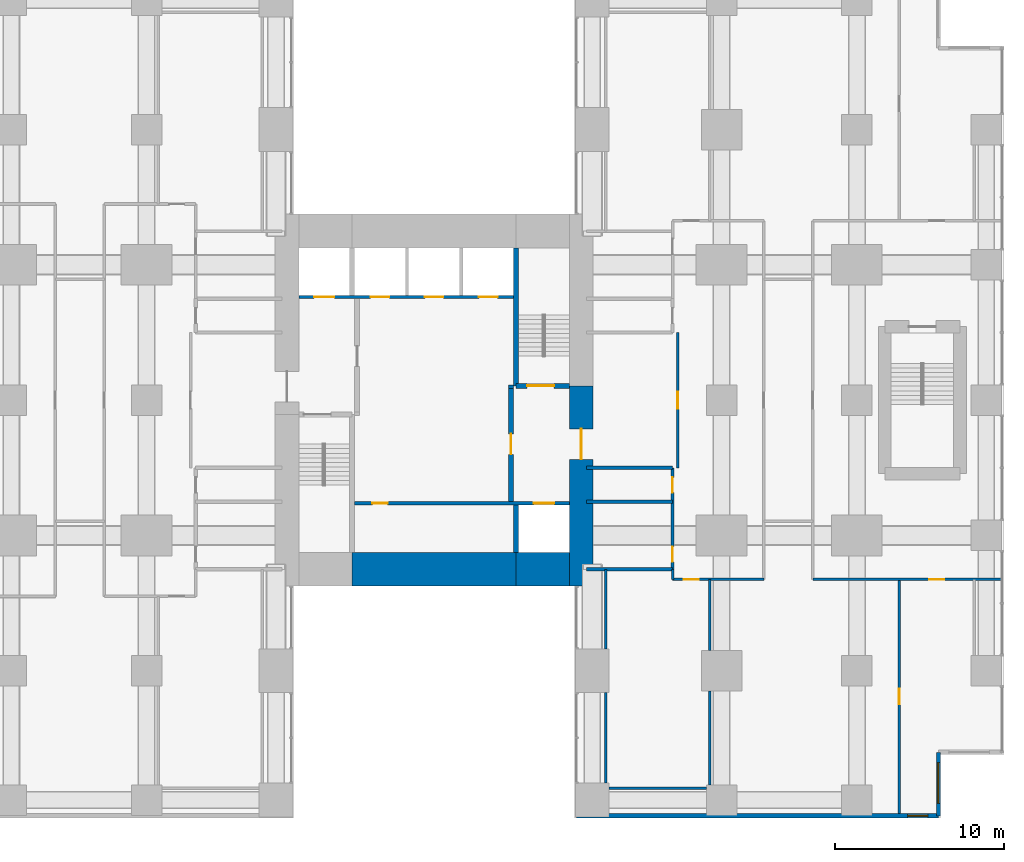
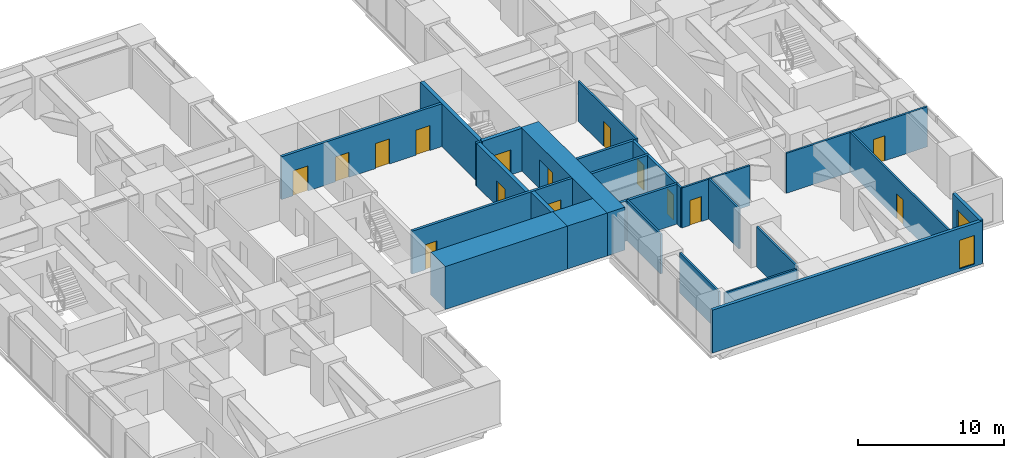
# One storey, part 11 of 14: 26 walls, 15 doors, 2 windows, 17 openings.
"""IFC4 building model written with IfcOpenShell, lengths in metres."""

from ifc_helpers import new_model, si_unit, direction, frame, frame_2d, origin, place, context, subcontext, project, spatial, rectangle, extrude, material, layer, layer_set, type_object, element, fill, save


model = new_model("IFC4")

# Units and contexts
model_context = context("Model", 3, precision=1e-05, world=origin(), true_north=direction((0.0, 1.0)))
body_context = subcontext(model_context, "Body", "Model", "MODEL_VIEW")
ifc_project = project(units=[si_unit("LENGTHUNIT", "METRE"), si_unit("AREAUNIT", "SQUARE_METRE"), si_unit("VOLUMEUNIT", "CUBIC_METRE"), si_unit("PLANEANGLEUNIT", "RADIAN"), si_unit("MASSUNIT", "GRAM", prefix="KILO")], contexts=[model_context])

# Site, building, storey
site_placement = place(None, origin())
site = spatial("IfcSite", under=ifc_project, at=site_placement, CompositionType="ELEMENT")
building_placement = place(site_placement, origin())
building = spatial("IfcBuilding", under=site, at=building_placement, Name="Cleftline Residences", CompositionType="ELEMENT")
storey_placement = place(building_placement, frame((0.0, 0.0, 200.199951171875)))
storey = spatial("IfcBuildingStorey", under=building, at=storey_placement, Name="L52", CompositionType="ELEMENT", Elevation=200.199951171875)

# Wall, opening, door
ifc_material_1 = material(Name="Concrete B70", Category="concrete")
ifc_layer_1 = layer(ifc_material_1, 1.39990234375)
ifc_layer_set_1 = layer_set([ifc_layer_1], Name="CORE WALL 1400")
wall_type_1 = type_object("IfcWallType", Name="CORE WALL 1400", PredefinedType="SHEAR", material=ifc_layer_set_1)
wall_1_placement = place(storey_placement, frame((41.699951171875, 13.0, 0.0), z_axis=(0.0, 0.0, 1.0), x_axis=(0.0, 1.0, 0.0)))
wall_1 = element("IfcWall", 1, at=wall_1_placement, inside=storey, type_object=wall_type_1, Name="Core wall E", PredefinedType="SHEAR", context=body_context, shape_type="SweptSolid", body=[
    extrude(rectangle(XDim=11.85009765625, YDim=1.39990234375, at=frame_2d((5.925048828125, 0.0))), origin(), (0.0, 0.0, 1.0), 3.60009765625),
])
opening_1_placement = place(wall_1_placement, frame((7.5, 0.0, 0.0)))
opening_1 = element("IfcOpeningElement", 2, at=opening_1_placement, cuts=wall_1, Name="Opening D7", PredefinedType="OPENING", context=body_context, shape_type="SweptSolid", body=[
    extrude(rectangle(XDim=1.800048828125, YDim=2.39990234375, at=frame_2d((0.89990234375, 1.199951171875))), frame((0.0, 0.7099609375, 0.0), z_axis=(0.0, -1.0, 0.0), x_axis=(1.0, 0.0, 0.0)), (0.0, 0.0, 1.0), 1.419921875),
])
ifc_material_2 = material(Name="Steel", Category="steel")
door_type_1 = type_object("IfcDoorType", Name="WING DOOR 1800X2400", OperationType="DOUBLE_DOOR_DOUBLE_SWING", PredefinedType="DOOR", material=ifc_material_2)
door_1_placement = place(opening_1_placement, origin())
door_1 = element("IfcDoor", 3, at=door_1_placement, inside=storey, type_object=door_type_1, Name="East wing door", OperationType="DOUBLE_DOOR_DOUBLE_SWING", OverallHeight=2.39990234375, OverallWidth=1.800048828125, PredefinedType="DOOR", context=body_context, shape_type="SweptSolid", body=[
    extrude(rectangle(XDim=1.800048828125, YDim=2.39990234375, at=frame_2d((0.89990234375, 1.199951171875))), frame((0.0, 0.02490234375, 0.0), z_axis=(0.0, -1.0, 0.0), x_axis=(1.0, 0.0, 0.0)), (0.0, 0.0, 1.0), 0.050048828125),
])
fill(opening_1, door_1)

# Walls
ifc_material_3 = material(Name="Concrete B70", Category="concrete")
ifc_layer_2 = layer(ifc_material_3, 2.0)
ifc_layer_set_2 = layer_set([ifc_layer_2], Name="CORE WALL 2000")
wall_type_2 = type_object("IfcWallType", Name="CORE WALL 2000", PredefinedType="SHEAR", material=ifc_layer_set_2)
wall_2_placement = place(storey_placement, frame((28.14990234375, 14.0, 0.0), z_axis=(0.0, 0.0, 1.0), x_axis=(1.0, 0.0, 0.0)))
element("IfcWall", 4, at=wall_2_placement, inside=storey, type_object=wall_type_2, Name="Core wall S2", PredefinedType="SHEAR", context=body_context, shape_type="SweptSolid", body=[
    extrude(rectangle(XDim=9.7001953125, YDim=2.0, at=frame_2d((4.85009765625, 0.0))), origin(), (0.0, 0.0, 1.0), 3.60009765625),
])
wall_3_placement = place(storey_placement, frame((37.85009765625, 14.0, 0.0), z_axis=(0.0, 0.0, 1.0), x_axis=(1.0, 0.0, 0.0)))
element("IfcWall", 5, at=wall_3_placement, inside=storey, type_object=wall_type_2, Name="Core wall S3", PredefinedType="SHEAR", context=body_context, shape_type="SweptSolid", body=[
    extrude(rectangle(XDim=3.14990234375, YDim=2.0, at=frame_2d((1.574951171875, 0.0))), origin(), (0.0, 0.0, 1.0), 3.60009765625),
])
ifc_material_4 = material(Name="Concrete B70", Category="concrete")
ifc_layer_3 = layer(ifc_material_4, 0.300048828125)
ifc_layer_set_3 = layer_set([ifc_layer_3], Name="CORE WALL 300")
wall_type_3 = type_object("IfcWallType", Name="CORE WALL 300", PredefinedType="SHEAR", material=ifc_layer_set_3)
wall_4_placement = place(storey_placement, frame((37.85009765625, 24.85009765625, 0.0), z_axis=(0.0, 0.0, 1.0), x_axis=(0.0, 1.0, 0.0)))
element("IfcWall", 6, at=wall_4_placement, inside=storey, type_object=wall_type_3, Name="Core wall SB-W", PredefinedType="SHEAR", context=body_context, shape_type="SweptSolid", body=[
    extrude(rectangle(XDim=8.14990234375, YDim=0.300048828125, at=frame_2d((4.074951171875, 0.0))), origin(), (0.0, 0.0, 1.0), 3.60009765625),
])

# Wall, opening, door
wall_5_placement = place(storey_placement, frame((37.85009765625, 24.85009765625, 0.0), z_axis=(0.0, 0.0, 1.0), x_axis=(1.0, 0.0, 0.0)))
wall_5 = element("IfcWall", 7, at=wall_5_placement, inside=storey, type_object=wall_type_3, Name="Core wall SB-S", PredefinedType="SHEAR", context=body_context, shape_type="SweptSolid", body=[
    extrude(rectangle(XDim=3.14990234375, YDim=0.300048828125, at=frame_2d((1.574951171875, 0.0))), origin(), (0.0, 0.0, 1.0), 3.60009765625),
])
opening_2_placement = place(wall_5_placement, frame((0.64990234375, 0.0, 0.0)))
opening_2 = element("IfcOpeningElement", 8, at=opening_2_placement, cuts=wall_5, Name="Opening D9", PredefinedType="OPENING", context=body_context, shape_type="SweptSolid", body=[
    extrude(rectangle(XDim=1.60009765625, YDim=2.10009765625, at=frame_2d((0.800048828125, 1.050048828125))), frame((0.0, 0.159912109375, 0.0), z_axis=(0.0, -1.0, 0.0), x_axis=(1.0, 0.0, 0.0)), (0.0, 0.0, 1.0), 0.320068359375),
])
ifc_material_5 = material(Name="Steel", Category="steel")
door_type_2 = type_object("IfcDoorType", Name="STAIR DOOR 1600X2100", OperationType="DOUBLE_DOOR_SINGLE_SWING", PredefinedType="DOOR", material=ifc_material_5)
door_2_placement = place(opening_2_placement, origin())
door_2 = element("IfcDoor", 9, at=door_2_placement, inside=storey, type_object=door_type_2, Name="Stair B door", OperationType="DOUBLE_DOOR_SINGLE_SWING", OverallHeight=2.10009765625, OverallWidth=1.60009765625, PredefinedType="DOOR", context=body_context, shape_type="SweptSolid", body=[
    extrude(rectangle(XDim=1.60009765625, YDim=2.10009765625, at=frame_2d((0.800048828125, 1.050048828125))), frame((0.0, 0.02490234375, 0.0), z_axis=(0.0, -1.0, 0.0), x_axis=(1.0, 0.0, 0.0)), (0.0, 0.0, 1.0), 0.050048828125),
])
fill(opening_2, door_2)

# Wall
wall_6_placement = place(storey_placement, frame((37.85009765625, 15.0, 0.0), z_axis=(0.0, 0.0, 1.0), x_axis=(0.0, 1.0, 0.0)))
element("IfcWall", 10, at=wall_6_placement, inside=storey, type_object=wall_type_3, Name="Lift shaft wall", PredefinedType="SHEAR", context=body_context, shape_type="SweptSolid", body=[
    extrude(rectangle(XDim=2.800048828125, YDim=0.300048828125, at=frame_2d((1.39990234375, 0.0))), origin(), (0.0, 0.0, 1.0), 3.60009765625),
])

# Wall, opening, window
ifc_material_6 = material(Name="Rendered reinforced concrete blockwork", Category="masonry")
ifc_layer_4 = layer(ifc_material_6, 0.25)
ifc_layer_set_4 = layer_set([ifc_layer_4], Name="EXTERNAL WALL 250")
wall_type_4 = type_object("IfcWallType", Name="EXTERNAL WALL 250", PredefinedType="SOLIDWALL", material=ifc_layer_set_4)
wall_7_placement = place(storey_placement, frame((41.425048828125, -0.574951171875, 0.0), z_axis=(0.0, 0.0, 1.0), x_axis=(1.0, 0.0, 0.0)))
wall_7 = element("IfcWall", 11, at=wall_7_placement, inside=storey, type_object=wall_type_4, Name="External wall", PredefinedType="SOLIDWALL", context=body_context, shape_type="SweptSolid", body=[
    extrude(rectangle(XDim=21.39990234375, YDim=0.25, at=frame_2d((10.699951171875, 0.0))), origin(), (0.0, 0.0, 1.0), 3.60009765625),
])
opening_3_placement = place(wall_7_placement, frame((19.574951171875, 0.0, 0.199951171875)))
opening_3 = element("IfcOpeningElement", 12, at=opening_3_placement, cuts=wall_7, Name="Opening W13", PredefinedType="OPENING", context=body_context, shape_type="SweptSolid", body=[
    extrude(rectangle(XDim=1.199951171875, YDim=2.39990234375, at=frame_2d((0.60009765625, 1.199951171875))), frame((0.0, 0.135009765625, 0.0), z_axis=(0.0, -1.0, 0.0), x_axis=(1.0, 0.0, 0.0)), (0.0, 0.0, 1.0), 0.27001953125),
])
ifc_material_7 = material(Name="Aluminium frame, clear double glazing", Category="aluminium")
window_type_1 = type_object("IfcWindowType", Name="WINDOW 1200X2400", PartitioningType="DOUBLE_PANEL_VERTICAL", PredefinedType="WINDOW", material=ifc_material_7)
window_1_placement = place(opening_3_placement, origin())
window_1 = element("IfcWindow", 13, at=window_1_placement, inside=storey, type_object=window_type_1, Name="Window", OverallHeight=2.39990234375, OverallWidth=1.199951171875, PartitioningType="SINGLE_PANEL", PredefinedType="WINDOW", context=body_context, shape_type="SweptSolid", body=[
    extrude(rectangle(XDim=1.199951171875, YDim=2.39990234375, at=frame_2d((0.60009765625, 1.199951171875))), frame((0.0, 0.030029296875, 0.0), z_axis=(0.0, -1.0, 0.0), x_axis=(1.0, 0.0, 0.0)), (0.0, 0.0, 1.0), 0.06005859375),
])
fill(opening_3, window_1)

wall_8_placement = place(storey_placement, frame((62.824951171875, -0.574951171875, 0.0), z_axis=(0.0, 0.0, 1.0), x_axis=(0.0, 1.0, 0.0)))
wall_8 = element("IfcWall", 14, at=wall_8_placement, inside=storey, type_object=wall_type_4, Name="External wall", PredefinedType="SOLIDWALL", context=body_context, shape_type="SweptSolid", body=[
    extrude(rectangle(XDim=3.75, YDim=0.25, at=frame_2d((1.875, 0.0))), origin(), (0.0, 0.0, 1.0), 3.60009765625),
])
opening_4_placement = place(wall_8_placement, frame((0.737548828125, 0.0, 0.199951171875)))
opening_4 = element("IfcOpeningElement", 15, at=opening_4_placement, cuts=wall_8, Name="Opening W9", PredefinedType="OPENING", context=body_context, shape_type="SweptSolid", body=[
    extrude(rectangle(XDim=2.39990234375, YDim=2.39990234375, at=frame_2d((1.199951171875, 1.199951171875))), frame((0.0, 0.135009765625, 0.0), z_axis=(0.0, -1.0, 0.0), x_axis=(1.0, 0.0, 0.0)), (0.0, 0.0, 1.0), 0.27001953125),
])
ifc_material_8 = material(Name="Aluminium frame, clear double glazing", Category="aluminium")
window_type_2 = type_object("IfcWindowType", Name="WINDOW 2400X2400", PartitioningType="DOUBLE_PANEL_VERTICAL", PredefinedType="WINDOW", material=ifc_material_8)
window_2_placement = place(opening_4_placement, origin())
window_2 = element("IfcWindow", 16, at=window_2_placement, inside=storey, type_object=window_type_2, Name="Window", OverallHeight=2.39990234375, OverallWidth=2.39990234375, PartitioningType="SINGLE_PANEL", PredefinedType="WINDOW", context=body_context, shape_type="SweptSolid", body=[
    extrude(rectangle(XDim=2.39990234375, YDim=2.39990234375, at=frame_2d((1.199951171875, 1.199951171875))), frame((0.0, 0.030029296875, 0.0), z_axis=(0.0, -1.0, 0.0), x_axis=(1.0, 0.0, 0.0)), (0.0, 0.0, 1.0), 0.06005859375),
])
fill(opening_4, window_2)

# Walls
ifc_material_9 = material(Name="Concrete blockwork, fire rated", Category="masonry")
ifc_layer_5 = layer(ifc_material_9, 0.199951171875)
ifc_layer_set_5 = layer_set([ifc_layer_5], Name="FIRE WALL 200")
wall_type_5 = type_object("IfcWallType", Name="FIRE WALL 200", PredefinedType="PARTITIONING", material=ifc_layer_set_5)
for number, where, z_axis, x_axis, name in (
    (17, (42.0, 14.0, 0.0), (0.0, 0.0, 1.0), (1.0, 0.0, 0.0), "Fire separating wall"),
    (18, (42.0, 18.0, 0.0), (0.0, 0.0, 1.0), (1.0, 0.0, 0.0), "Fire separating wall"),
    (19, (42.0, 20.0, 0.0), (0.0, 0.0, 1.0), (1.0, 0.0, 0.0), "Fire separating wall"),
):
    element("IfcWall", number, at=place(storey_placement, frame(where, z_axis=z_axis, x_axis=x_axis)), inside=storey, type_object=wall_type_5, Name=name, PredefinedType="PARTITIONING", context=body_context, shape_type="SweptSolid", body=[
        extrude(rectangle(XDim=5.10009765625, YDim=0.199951171875, at=frame_2d((2.550048828125, 0.0))), origin(), (0.0, 0.0, 1.0), 3.35009765625),
    ])

# Wall, openings, doors
wall_9_placement = place(storey_placement, frame((47.10009765625, 14.0, 0.0), z_axis=(0.0, 0.0, 1.0), x_axis=(0.0, 1.0, 0.0)))
wall_9 = element("IfcWall", 20, at=wall_9_placement, inside=storey, type_object=wall_type_5, Name="Fire separating wall", PredefinedType="PARTITIONING", context=body_context, shape_type="SweptSolid", body=[
    extrude(rectangle(XDim=6.0, YDim=0.199951171875, at=frame_2d((3.0, 0.0))), origin(), (0.0, 0.0, 1.0), 3.35009765625),
])
opening_5_placement = place(wall_9_placement, frame((0.43994140625, 0.0, 0.0)))
opening_5 = element("IfcOpeningElement", 21, at=opening_5_placement, cuts=wall_9, Name="Opening D1F30", PredefinedType="OPENING", context=body_context, shape_type="SweptSolid", body=[
    extrude(rectangle(XDim=0.89990234375, YDim=2.10009765625, at=frame_2d((0.449951171875, 1.050048828125))), frame((0.0, 0.10986328125, 0.0), z_axis=(0.0, -1.0, 0.0), x_axis=(1.0, 0.0, 0.0)), (0.0, 0.0, 1.0), 0.219970703125),
])
opening_6_placement = place(wall_9_placement, frame((4.5400390625, 0.0, 0.0)))
opening_6 = element("IfcOpeningElement", 22, at=opening_6_placement, cuts=wall_9, Name="Opening D1F30", PredefinedType="OPENING", context=body_context, shape_type="SweptSolid", body=[
    extrude(rectangle(XDim=0.89990234375, YDim=2.10009765625, at=frame_2d((0.449951171875, 1.050048828125))), frame((0.0, 0.10986328125, 0.0), z_axis=(0.0, -1.0, 0.0), x_axis=(1.0, 0.0, 0.0)), (0.0, 0.0, 1.0), 0.219970703125),
])
ifc_material_10 = material(Name="Timber veneer on solid core", Category="wood")
door_type_3 = type_object("IfcDoorType", Name="DOOR 900X2100 EI 30", OperationType="SINGLE_SWING_LEFT", PredefinedType="DOOR", material=ifc_material_10)
door_3_placement = place(opening_5_placement, origin())
door_3 = element("IfcDoor", 23, at=door_3_placement, inside=storey, type_object=door_type_3, Name="Door to male wc", OperationType="SINGLE_SWING_RIGHT", OverallHeight=2.10009765625, OverallWidth=0.89990234375, PredefinedType="DOOR", context=body_context, shape_type="SweptSolid", body=[
    extrude(rectangle(XDim=0.89990234375, YDim=2.10009765625, at=frame_2d((0.449951171875, 1.050048828125))), frame((0.0, 0.02490234375, 0.0), z_axis=(0.0, -1.0, 0.0), x_axis=(1.0, 0.0, 0.0)), (0.0, 0.0, 1.0), 0.050048828125),
])
fill(opening_5, door_3)
door_4_placement = place(opening_6_placement, origin())
door_4 = element("IfcDoor", 24, at=door_4_placement, inside=storey, type_object=door_type_3, Name="Door to female wc", OperationType="SINGLE_SWING_LEFT", OverallHeight=2.10009765625, OverallWidth=0.89990234375, PredefinedType="DOOR", context=body_context, shape_type="SweptSolid", body=[
    extrude(rectangle(XDim=0.89990234375, YDim=2.10009765625, at=frame_2d((0.449951171875, 1.050048828125))), frame((0.0, 0.02490234375, 0.0), z_axis=(0.0, -1.0, 0.0), x_axis=(1.0, 0.0, 0.0)), (0.0, 0.0, 1.0), 0.050048828125),
])
fill(opening_6, door_4)

# Walls
wall_10_placement = place(storey_placement, frame((37.39990234375, 24.800048828125, 0.0), z_axis=(0.0, 0.0, 1.0), x_axis=(1.0, 0.0, 0.0)))
element("IfcWall", 25, at=wall_10_placement, inside=storey, type_object=wall_type_5, Name="Fire separating wall", PredefinedType="PARTITIONING", context=body_context, shape_type="SweptSolid", body=[
    extrude(rectangle(XDim=0.300048828125, YDim=0.199951171875, at=frame_2d((0.14990234375, 0.0))), origin(), (0.0, 0.0, 1.0), 3.60009765625),
])
ifc_material_11 = material(Name="Gypsum board on steel studs", Category="steel")
ifc_layer_6 = layer(ifc_material_11, 0.14990234375)
ifc_layer_set_6 = layer_set([ifc_layer_6], Name="PARTITION 150")
wall_type_6 = type_object("IfcWallType", Name="PARTITION 150", PredefinedType="PARTITIONING", material=ifc_layer_set_6)
wall_11_placement = place(storey_placement, frame((43.35009765625, 1.050048828125, 0.0), z_axis=(0.0, 0.0, 1.0), x_axis=(1.0, 0.0, 0.0)))
element("IfcWall", 26, at=wall_11_placement, inside=storey, type_object=wall_type_6, Name="Partition", PredefinedType="PARTITIONING", context=body_context, shape_type="SweptSolid", body=[
    extrude(rectangle(XDim=5.75, YDim=0.14990234375, at=frame_2d((2.875, 0.0))), origin(), (0.0, 0.0, 1.0), 3.35009765625),
])

# Wall, opening, door
wall_12_placement = place(storey_placement, frame((47.10009765625, 13.39990234375, 0.0), z_axis=(0.0, 0.0, 1.0), x_axis=(1.0, 0.0, 0.0)))
wall_12 = element("IfcWall", 27, at=wall_12_placement, inside=storey, type_object=wall_type_6, Name="Partition", PredefinedType="PARTITIONING", context=body_context, shape_type="SweptSolid", body=[
    extrude(rectangle(XDim=5.39990234375, YDim=0.14990234375, at=frame_2d((2.699951171875, 0.0))), origin(), (0.0, 0.0, 1.0), 3.35009765625),
])
opening_7_placement = place(wall_12_placement, frame((0.659912109375, 0.0, 0.0)))
opening_7 = element("IfcOpeningElement", 28, at=opening_7_placement, cuts=wall_12, Name="Opening D1", PredefinedType="OPENING", context=body_context, shape_type="SweptSolid", body=[
    extrude(rectangle(XDim=0.89990234375, YDim=2.10009765625, at=frame_2d((0.449951171875, 1.050048828125))), frame((0.0, 0.0849609375, 0.0), z_axis=(0.0, -1.0, 0.0), x_axis=(1.0, 0.0, 0.0)), (0.0, 0.0, 1.0), 0.169921875),
])
ifc_material_12 = material(Name="Timber veneer on solid core", Category="wood")
door_type_4 = type_object("IfcDoorType", Name="DOOR 900X2100", OperationType="SINGLE_SWING_LEFT", PredefinedType="DOOR", material=ifc_material_12)
door_5_placement = place(opening_7_placement, origin())
door_5 = element("IfcDoor", 29, at=door_5_placement, inside=storey, type_object=door_type_4, Name="Door to recording studio", OperationType="SINGLE_SWING_RIGHT", OverallHeight=2.10009765625, OverallWidth=0.89990234375, PredefinedType="DOOR", context=body_context, shape_type="SweptSolid", body=[
    extrude(rectangle(XDim=0.89990234375, YDim=2.10009765625, at=frame_2d((0.449951171875, 1.050048828125))), frame((0.0, 0.02490234375, 0.0), z_axis=(0.0, -1.0, 0.0), x_axis=(1.0, 0.0, 0.0)), (0.0, 0.0, 1.0), 0.050048828125),
])
fill(opening_7, door_5)

wall_13_placement = place(storey_placement, frame((55.39990234375, 13.39990234375, 0.0), z_axis=(0.0, 0.0, 1.0), x_axis=(1.0, 0.0, 0.0)))
wall_13 = element("IfcWall", 30, at=wall_13_placement, inside=storey, type_object=wall_type_6, Name="Partition", PredefinedType="PARTITIONING", context=body_context, shape_type="SweptSolid", body=[
    extrude(rectangle(XDim=11.1611328125, YDim=0.14990234375, at=frame_2d((5.58056640625, 0.0))), origin(), (0.0, 0.0, 1.0), 3.35009765625),
])
opening_8_placement = place(wall_13_placement, frame((6.8798828125, 0.0, 0.0)))
opening_8 = element("IfcOpeningElement", 31, at=opening_8_placement, cuts=wall_13, Name="Opening D1", PredefinedType="OPENING", context=body_context, shape_type="SweptSolid", body=[
    extrude(rectangle(XDim=0.89990234375, YDim=2.10009765625, at=frame_2d((0.449951171875, 1.050048828125))), frame((0.0, 0.0849609375, 0.0), z_axis=(0.0, -1.0, 0.0), x_axis=(1.0, 0.0, 0.0)), (0.0, 0.0, 1.0), 0.169921875),
])
door_6_placement = place(opening_8_placement, origin())
door_6 = element("IfcDoor", 32, at=door_6_placement, inside=storey, type_object=door_type_4, Name="Door to music practice room", OperationType="SINGLE_SWING_LEFT", OverallHeight=2.10009765625, OverallWidth=0.89990234375, PredefinedType="DOOR", context=body_context, shape_type="SweptSolid", body=[
    extrude(rectangle(XDim=0.89990234375, YDim=2.10009765625, at=frame_2d((0.449951171875, 1.050048828125))), frame((0.0, 0.02490234375, 0.0), z_axis=(0.0, -1.0, 0.0), x_axis=(1.0, 0.0, 0.0)), (0.0, 0.0, 1.0), 0.050048828125),
])
fill(opening_8, door_6)

# Walls
wall_14_placement = place(storey_placement, frame((43.14990234375, 1.35009765625, 0.0), z_axis=(0.0, 0.0, 1.0), x_axis=(0.0, 1.0, 0.0)))
element("IfcWall", 33, at=wall_14_placement, inside=storey, type_object=wall_type_6, Name="Partition", PredefinedType="PARTITIONING", context=body_context, shape_type="SweptSolid", body=[
    extrude(rectangle(XDim=5.349853515625, YDim=0.14990234375, at=frame_2d((2.6748046875, 0.0))), origin(), (0.0, 0.0, 1.0), 3.35009765625),
])
wall_15_placement = place(storey_placement, frame((43.14990234375, 9.300048828125, 0.0), z_axis=(0.0, 0.0, 1.0), x_axis=(0.0, 1.0, 0.0)))
element("IfcWall", 34, at=wall_15_placement, inside=storey, type_object=wall_type_6, Name="Partition", PredefinedType="PARTITIONING", context=body_context, shape_type="SweptSolid", body=[
    extrude(rectangle(XDim=4.699951171875, YDim=0.14990234375, at=frame_2d((2.35009765625, 0.0))), origin(), (0.0, 0.0, 1.0), 3.35009765625),
])
wall_16_placement = place(storey_placement, frame((47.10009765625, 13.39990234375, 0.0), z_axis=(0.0, 0.0, 1.0), x_axis=(0.0, 1.0, 0.0)))
element("IfcWall", 35, at=wall_16_placement, inside=storey, type_object=wall_type_6, Name="Partition", PredefinedType="PARTITIONING", context=body_context, shape_type="SweptSolid", body=[
    extrude(rectangle(XDim=0.60009765625, YDim=0.14990234375, at=frame_2d((0.300048828125, 0.0))), origin(), (0.0, 0.0, 1.0), 3.35009765625),
])

# Wall, opening, door
wall_17_placement = place(storey_placement, frame((47.39990234375, 20.0, 0.0), z_axis=(0.0, 0.0, 1.0), x_axis=(0.0, 1.0, 0.0)))
wall_17 = element("IfcWall", 36, at=wall_17_placement, inside=storey, type_object=wall_type_6, Name="Partition", PredefinedType="PARTITIONING", context=body_context, shape_type="SweptSolid", body=[
    extrude(rectangle(XDim=8.0, YDim=0.14990234375, at=frame_2d((4.0, 0.0))), origin(), (0.0, 0.0, 1.0), 3.35009765625),
])
opening_9_placement = place(wall_17_placement, frame((3.5, 0.0, 0.0)))
opening_9 = element("IfcOpeningElement", 37, at=opening_9_placement, cuts=wall_17, Name="Opening D2F30", PredefinedType="OPENING", context=body_context, shape_type="SweptSolid", body=[
    extrude(rectangle(XDim=1.0, YDim=2.10009765625, at=frame_2d((0.5, 1.050048828125))), frame((0.0, 0.0849609375, 0.0), z_axis=(0.0, -1.0, 0.0), x_axis=(1.0, 0.0, 0.0)), (0.0, 0.0, 1.0), 0.169921875),
])
ifc_material_13 = material(Name="Timber veneer on solid core", Category="wood")
door_type_5 = type_object("IfcDoorType", Name="DOOR 1000X2100 EI 30", OperationType="SINGLE_SWING_LEFT", PredefinedType="DOOR", material=ifc_material_13)
door_7_placement = place(opening_9_placement, origin())
door_7 = element("IfcDoor", 38, at=door_7_placement, inside=storey, type_object=door_type_5, Name="Door to corridor", OperationType="SINGLE_SWING_LEFT", OverallHeight=2.10009765625, OverallWidth=1.0, PredefinedType="DOOR", context=body_context, shape_type="SweptSolid", body=[
    extrude(rectangle(XDim=1.0, YDim=2.10009765625, at=frame_2d((0.5, 1.050048828125))), frame((0.0, 0.02490234375, 0.0), z_axis=(0.0, -1.0, 0.0), x_axis=(1.0, 0.0, 0.0)), (0.0, 0.0, 1.0), 0.050048828125),
])
fill(opening_9, door_7)

# Walls
wall_18_placement = place(storey_placement, frame((49.300048828125, 1.25, 0.0), z_axis=(0.0, 0.0, 1.0), x_axis=(0.0, 1.0, 0.0)))
element("IfcWall", 39, at=wall_18_placement, inside=storey, type_object=wall_type_6, Name="Partition", PredefinedType="PARTITIONING", context=body_context, shape_type="SweptSolid", body=[
    extrude(rectangle(XDim=5.550048828125, YDim=0.14990234375, at=frame_2d((2.77490234375, 0.0))), origin(), (0.0, 0.0, 1.0), 3.35009765625),
])
wall_19_placement = place(storey_placement, frame((49.300048828125, 9.199951171875, 0.0), z_axis=(0.0, 0.0, 1.0), x_axis=(0.0, 1.0, 0.0)))
element("IfcWall", 40, at=wall_19_placement, inside=storey, type_object=wall_type_6, Name="Partition", PredefinedType="PARTITIONING", context=body_context, shape_type="SweptSolid", body=[
    extrude(rectangle(XDim=4.199951171875, YDim=0.14990234375, at=frame_2d((2.10009765625, 0.0))), origin(), (0.0, 0.0, 1.0), 3.35009765625),
])

# Wall, opening, door
wall_20_placement = place(storey_placement, frame((60.5, -0.449951171875, 0.0), z_axis=(0.0, 0.0, 1.0), x_axis=(0.0, 1.0, 0.0)))
wall_20 = element("IfcWall", 41, at=wall_20_placement, inside=storey, type_object=wall_type_6, Name="Partition", PredefinedType="PARTITIONING", context=body_context, shape_type="SweptSolid", body=[
    extrude(rectangle(XDim=13.849853515625, YDim=0.14990234375, at=frame_2d((6.9248046875, 0.0))), origin(), (0.0, 0.0, 1.0), 3.35009765625),
])
opening_10_placement = place(wall_20_placement, frame((6.47998046875, 0.0, 0.0)))
opening_10 = element("IfcOpeningElement", 42, at=opening_10_placement, cuts=wall_20, Name="Opening D1", PredefinedType="OPENING", context=body_context, shape_type="SweptSolid", body=[
    extrude(rectangle(XDim=0.89990234375, YDim=2.10009765625, at=frame_2d((0.449951171875, 1.050048828125))), frame((0.0, 0.0849609375, 0.0), z_axis=(0.0, -1.0, 0.0), x_axis=(1.0, 0.0, 0.0)), (0.0, 0.0, 1.0), 0.169921875),
])
door_8_placement = place(opening_10_placement, origin())
door_8 = element("IfcDoor", 43, at=door_8_placement, inside=storey, type_object=door_type_4, Name="Door to instrument locker room", OperationType="SINGLE_SWING_LEFT", OverallHeight=2.10009765625, OverallWidth=0.89990234375, PredefinedType="DOOR", context=body_context, shape_type="SweptSolid", body=[
    extrude(rectangle(XDim=0.89990234375, YDim=2.10009765625, at=frame_2d((0.449951171875, 1.050048828125))), frame((0.0, 0.02490234375, 0.0), z_axis=(0.0, -1.0, 0.0), x_axis=(1.0, 0.0, 0.0)), (0.0, 0.0, 1.0), 0.050048828125),
])
fill(opening_10, door_8)

# Wall, openings, doors
ifc_material_14 = material(Name="Concrete blockwork, fire rated", Category="masonry")
ifc_layer_7 = layer(ifc_material_14, 0.199951171875)
ifc_layer_set_7 = layer_set([ifc_layer_7], Name="SHAFT WALL 200")
wall_type_7 = type_object("IfcWallType", Name="SHAFT WALL 200", PredefinedType="PARTITIONING", material=ifc_layer_set_7)
wall_21_placement = place(storey_placement, frame((28.300048828125, 17.89990234375, 0.0), z_axis=(0.0, 0.0, 1.0), x_axis=(1.0, 0.0, 0.0)))
wall_21 = element("IfcWall", 44, at=wall_21_placement, inside=storey, type_object=wall_type_7, Name="Core room wall", PredefinedType="PARTITIONING", context=body_context, shape_type="SweptSolid", body=[
    extrude(rectangle(XDim=12.699951171875, YDim=0.199951171875, at=frame_2d((6.35009765625, 0.0))), origin(), (0.0, 0.0, 1.0), 3.60009765625),
])
opening_11_placement = place(wall_21_placement, frame((1.050048828125, 0.0, 0.0)))
opening_11 = element("IfcOpeningElement", 45, at=opening_11_placement, cuts=wall_21, Name="Opening D1F30", PredefinedType="OPENING", context=body_context, shape_type="SweptSolid", body=[
    extrude(rectangle(XDim=0.89990234375, YDim=2.10009765625, at=frame_2d((0.449951171875, 1.050048828125))), frame((0.0, 0.10986328125, 0.0), z_axis=(0.0, -1.0, 0.0), x_axis=(1.0, 0.0, 0.0)), (0.0, 0.0, 1.0), 0.219970703125),
])
opening_12_placement = place(wall_21_placement, frame((10.60009765625, 0.0, 0.0)))
opening_12 = element("IfcOpeningElement", 46, at=opening_12_placement, cuts=wall_21, Name="Opening LD2", PredefinedType="OPENING", context=body_context, shape_type="SweptSolid", body=[
    extrude(rectangle(XDim=1.199951171875, YDim=2.10009765625, at=frame_2d((0.60009765625, 1.050048828125))), frame((0.0, 0.10986328125, 0.0), z_axis=(0.0, -1.0, 0.0), x_axis=(1.0, 0.0, 0.0)), (0.0, 0.0, 1.0), 0.219970703125),
])
door_9_placement = place(opening_11_placement, origin())
door_9 = element("IfcDoor", 47, at=door_9_placement, inside=storey, type_object=door_type_3, Name="Door to housekeeping store", OperationType="SINGLE_SWING_RIGHT", OverallHeight=2.10009765625, OverallWidth=0.89990234375, PredefinedType="DOOR", context=body_context, shape_type="SweptSolid", body=[
    extrude(rectangle(XDim=0.89990234375, YDim=2.10009765625, at=frame_2d((0.449951171875, 1.050048828125))), frame((0.0, 0.02490234375, 0.0), z_axis=(0.0, -1.0, 0.0), x_axis=(1.0, 0.0, 0.0)), (0.0, 0.0, 1.0), 0.050048828125),
])
fill(opening_11, door_9)
ifc_material_15 = material(Name="Steel", Category="steel")
door_type_6 = type_object("IfcDoorType", Name="FIREFIGHTING LIFT LANDING DOOR 1200X2100", OperationType="SLIDING_TO_LEFT", PredefinedType="DOOR", material=ifc_material_15)
door_10_placement = place(opening_12_placement, origin())
door_10 = element("IfcDoor", 48, at=door_10_placement, inside=storey, type_object=door_type_6, Name="Lift FL2 landing door", OperationType="SLIDING_TO_LEFT", OverallHeight=2.10009765625, OverallWidth=1.199951171875, PredefinedType="DOOR", context=body_context, shape_type="SweptSolid", body=[
    extrude(rectangle(XDim=1.199951171875, YDim=2.10009765625, at=frame_2d((0.60009765625, 1.050048828125))), frame((0.0, 0.02490234375, 0.0), z_axis=(0.0, -1.0, 0.0), x_axis=(1.0, 0.0, 0.0)), (0.0, 0.0, 1.0), 0.050048828125),
])
fill(opening_12, door_10)

wall_22_placement = place(storey_placement, frame((25.0, 30.10009765625, 0.0), z_axis=(0.0, 0.0, 1.0), x_axis=(1.0, 0.0, 0.0)))
wall_22 = element("IfcWall", 49, at=wall_22_placement, inside=storey, type_object=wall_type_7, Name="Lift shaft wall", PredefinedType="PARTITIONING", context=body_context, shape_type="SweptSolid", body=[
    extrude(rectangle(XDim=12.699951171875, YDim=0.199951171875, at=frame_2d((6.35009765625, 0.0))), origin(), (0.0, 0.0, 1.0), 3.60009765625),
])
opening_13_placement = place(wall_22_placement, frame((4.25, 0.0, 0.0)))
opening_13 = element("IfcOpeningElement", 50, at=opening_13_placement, cuts=wall_22, Name="Opening LD1", PredefinedType="OPENING", context=body_context, shape_type="SweptSolid", body=[
    extrude(rectangle(XDim=1.10009765625, YDim=2.10009765625, at=frame_2d((0.550048828125, 1.050048828125))), frame((0.0, 0.10986328125, 0.0), z_axis=(0.0, -1.0, 0.0), x_axis=(1.0, 0.0, 0.0)), (0.0, 0.0, 1.0), 0.219970703125),
])
opening_14_placement = place(wall_22_placement, frame((7.449951171875, 0.0, 0.0)))
opening_14 = element("IfcOpeningElement", 51, at=opening_14_placement, cuts=wall_22, Name="Opening LD1", PredefinedType="OPENING", context=body_context, shape_type="SweptSolid", body=[
    extrude(rectangle(XDim=1.10009765625, YDim=2.10009765625, at=frame_2d((0.550048828125, 1.050048828125))), frame((0.0, 0.10986328125, 0.0), z_axis=(0.0, -1.0, 0.0), x_axis=(1.0, 0.0, 0.0)), (0.0, 0.0, 1.0), 0.219970703125),
])
opening_15_placement = place(wall_22_placement, frame((10.64990234375, 0.0, 0.0)))
opening_15 = element("IfcOpeningElement", 52, at=opening_15_placement, cuts=wall_22, Name="Opening LD1", PredefinedType="OPENING", context=body_context, shape_type="SweptSolid", body=[
    extrude(rectangle(XDim=1.10009765625, YDim=2.10009765625, at=frame_2d((0.550048828125, 1.050048828125))), frame((0.0, 0.10986328125, 0.0), z_axis=(0.0, -1.0, 0.0), x_axis=(1.0, 0.0, 0.0)), (0.0, 0.0, 1.0), 0.219970703125),
])
opening_16_placement = place(wall_22_placement, frame((0.89990234375, 0.0, 0.0)))
opening_16 = element("IfcOpeningElement", 53, at=opening_16_placement, cuts=wall_22, Name="Opening LD2", PredefinedType="OPENING", context=body_context, shape_type="SweptSolid", body=[
    extrude(rectangle(XDim=1.199951171875, YDim=2.10009765625, at=frame_2d((0.60009765625, 1.050048828125))), frame((0.0, 0.10986328125, 0.0), z_axis=(0.0, -1.0, 0.0), x_axis=(1.0, 0.0, 0.0)), (0.0, 0.0, 1.0), 0.219970703125),
])
door_11_placement = place(opening_16_placement, origin())
door_11 = element("IfcDoor", 54, at=door_11_placement, inside=storey, type_object=door_type_6, Name="Lift FL1 landing door", OperationType="SLIDING_TO_LEFT", OverallHeight=2.10009765625, OverallWidth=1.199951171875, PredefinedType="DOOR", context=body_context, shape_type="SweptSolid", body=[
    extrude(rectangle(XDim=1.199951171875, YDim=2.10009765625, at=frame_2d((0.60009765625, 1.050048828125))), frame((0.0, 0.02490234375, 0.0), z_axis=(0.0, -1.0, 0.0), x_axis=(1.0, 0.0, 0.0)), (0.0, 0.0, 1.0), 0.050048828125),
])
fill(opening_16, door_11)
ifc_material_16 = material(Name="Steel", Category="steel")
door_type_7 = type_object("IfcDoorType", Name="LIFT LANDING DOOR 1100X2100", OperationType="SLIDING_TO_LEFT", PredefinedType="DOOR", material=ifc_material_16)
door_12_placement = place(opening_13_placement, origin())
door_12 = element("IfcDoor", 55, at=door_12_placement, inside=storey, type_object=door_type_7, Name="Lift P4 landing door", OperationType="SLIDING_TO_LEFT", OverallHeight=2.10009765625, OverallWidth=1.10009765625, PredefinedType="DOOR", context=body_context, shape_type="SweptSolid", body=[
    extrude(rectangle(XDim=1.10009765625, YDim=2.10009765625, at=frame_2d((0.550048828125, 1.050048828125))), frame((0.0, 0.02490234375, 0.0), z_axis=(0.0, -1.0, 0.0), x_axis=(1.0, 0.0, 0.0)), (0.0, 0.0, 1.0), 0.050048828125),
])
fill(opening_13, door_12)
door_13_placement = place(opening_14_placement, origin())
door_13 = element("IfcDoor", 56, at=door_13_placement, inside=storey, type_object=door_type_7, Name="Lift P5 landing door", OperationType="SLIDING_TO_LEFT", OverallHeight=2.10009765625, OverallWidth=1.10009765625, PredefinedType="DOOR", context=body_context, shape_type="SweptSolid", body=[
    extrude(rectangle(XDim=1.10009765625, YDim=2.10009765625, at=frame_2d((0.550048828125, 1.050048828125))), frame((0.0, 0.02490234375, 0.0), z_axis=(0.0, -1.0, 0.0), x_axis=(1.0, 0.0, 0.0)), (0.0, 0.0, 1.0), 0.050048828125),
])
fill(opening_14, door_13)
door_14_placement = place(opening_15_placement, origin())
door_14 = element("IfcDoor", 57, at=door_14_placement, inside=storey, type_object=door_type_7, Name="Lift P6 landing door", OperationType="SLIDING_TO_LEFT", OverallHeight=2.10009765625, OverallWidth=1.10009765625, PredefinedType="DOOR", context=body_context, shape_type="SweptSolid", body=[
    extrude(rectangle(XDim=1.10009765625, YDim=2.10009765625, at=frame_2d((0.550048828125, 1.050048828125))), frame((0.0, 0.02490234375, 0.0), z_axis=(0.0, -1.0, 0.0), x_axis=(1.0, 0.0, 0.0)), (0.0, 0.0, 1.0), 0.050048828125),
])
fill(opening_15, door_14)

# Wall, opening, door
ifc_material_17 = material(Name="Concrete blockwork, fire rated", Category="masonry")
ifc_layer_8 = layer(ifc_material_17, 0.300048828125)
ifc_layer_set_8 = layer_set([ifc_layer_8], Name="STAIR LOBBY WALL 300")
wall_type_8 = type_object("IfcWallType", Name="STAIR LOBBY WALL 300", PredefinedType="PARTITIONING", material=ifc_layer_set_8)
wall_23_placement = place(storey_placement, frame((37.550048828125, 18.0, 0.0), z_axis=(0.0, 0.0, 1.0), x_axis=(0.0, 1.0, 0.0)))
wall_23 = element("IfcWall", 58, at=wall_23_placement, inside=storey, type_object=wall_type_8, Name="Stair and lobby wall FB-W", PredefinedType="PARTITIONING", context=body_context, shape_type="SweptSolid", body=[
    extrude(rectangle(XDim=6.699951171875, YDim=0.300048828125, at=frame_2d((3.35009765625, 0.0))), origin(), (0.0, 0.0, 1.0), 3.60009765625),
])
opening_17_placement = place(wall_23_placement, frame((2.800048828125, 0.0, 0.0)))
opening_17 = element("IfcOpeningElement", 59, at=opening_17_placement, cuts=wall_23, Name="Opening D6", PredefinedType="OPENING", context=body_context, shape_type="SweptSolid", body=[
    extrude(rectangle(XDim=1.199951171875, YDim=2.10009765625, at=frame_2d((0.60009765625, 1.050048828125))), frame((0.0, 0.159912109375, 0.0), z_axis=(0.0, -1.0, 0.0), x_axis=(1.0, 0.0, 0.0)), (0.0, 0.0, 1.0), 0.320068359375),
])
ifc_material_18 = material(Name="Steel", Category="steel")
door_type_8 = type_object("IfcDoorType", Name="LOBBY DOOR 1200X2100", OperationType="SINGLE_SWING_RIGHT", PredefinedType="DOOR", material=ifc_material_18)
door_15_placement = place(opening_17_placement, origin())
door_15 = element("IfcDoor", 60, at=door_15_placement, inside=storey, type_object=door_type_8, Name="Firefighting lobby B door", OperationType="SINGLE_SWING_LEFT", OverallHeight=2.10009765625, OverallWidth=1.199951171875, PredefinedType="DOOR", context=body_context, shape_type="SweptSolid", body=[
    extrude(rectangle(XDim=1.199951171875, YDim=2.10009765625, at=frame_2d((0.60009765625, 1.050048828125))), frame((0.0, 0.02490234375, 0.0), z_axis=(0.0, -1.0, 0.0), x_axis=(1.0, 0.0, 0.0)), (0.0, 0.0, 1.0), 0.050048828125),
])
fill(opening_17, door_15)

save(model, "model.ifc")
